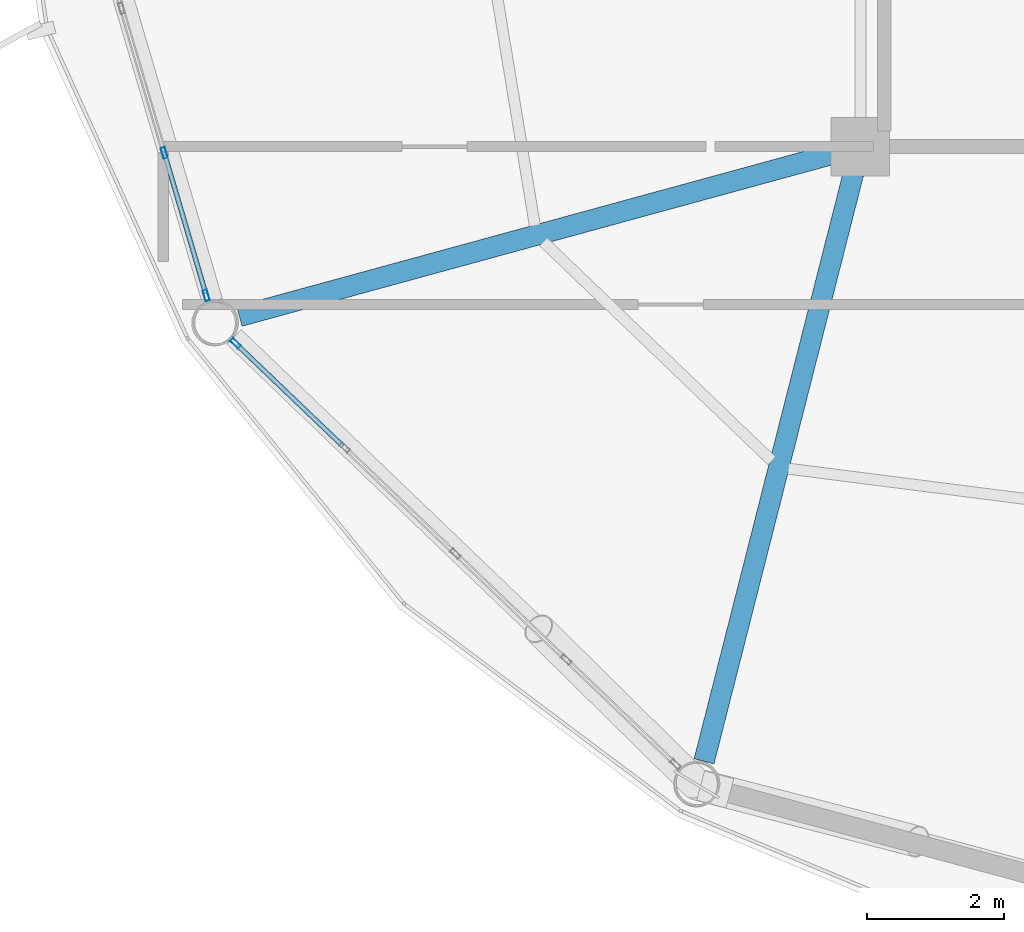
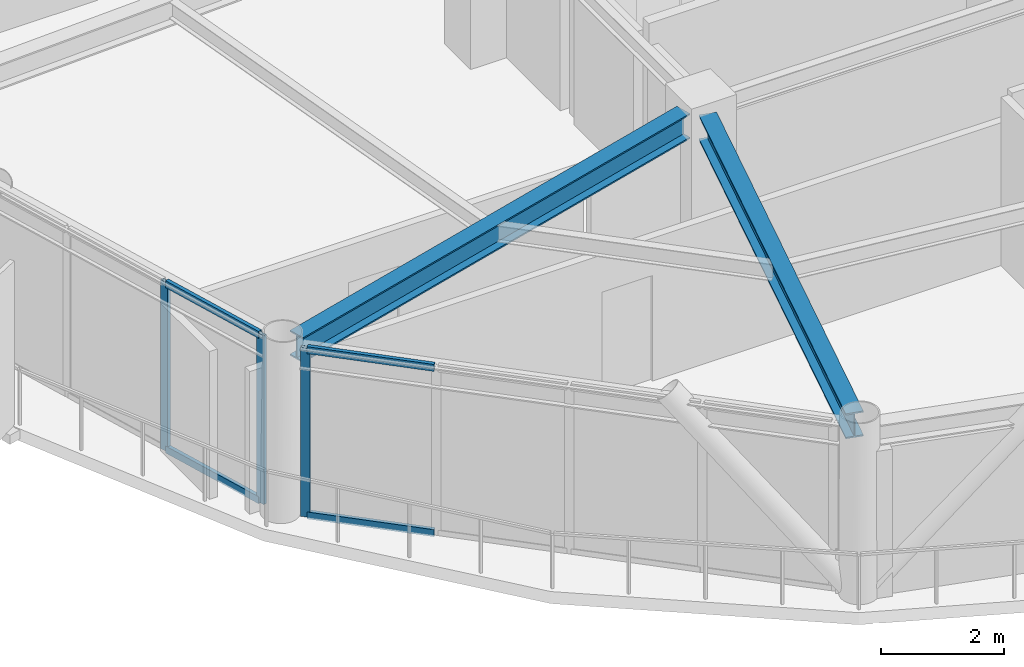
# One storey, part 4 of 28: 7 members, 2 beams, 2 elements without a shape of their own.
"""IFC4 building model written with IfcOpenShell, lengths in metres."""

from ifc_helpers import new_model, si_unit, direction, frame, origin, origin_2d, place, context, subcontext, project, spatial, hollow_rectangle, i_section, extrude, material, layer, layer_set, material_profile, profile_set, type_object, element, aggregate, save


model = new_model("IFC4")

# Units and contexts
model_context = context("Model", 3, precision=1e-05, world=origin(), true_north=direction((0.0, 1.0)))
body_context = subcontext(model_context, "Body", "Model", "MODEL_VIEW")
ifc_project = project(units=[si_unit("LENGTHUNIT", "METRE"), si_unit("AREAUNIT", "SQUARE_METRE"), si_unit("VOLUMEUNIT", "CUBIC_METRE"), si_unit("PLANEANGLEUNIT", "RADIAN"), si_unit("MASSUNIT", "GRAM", prefix="KILO")], contexts=[model_context])

# Site, building, storey
site_placement = place(None, origin())
site = spatial("IfcSite", under=ifc_project, at=site_placement, CompositionType="ELEMENT")
building_placement = place(site_placement, origin())
building = spatial("IfcBuilding", under=site, at=building_placement, Name="Varnakorn Sky Granary", CompositionType="ELEMENT")
storey_placement = place(building_placement, frame((0.0, 0.0, 204.0)))
storey = spatial("IfcBuildingStorey", under=building, at=storey_placement, Name="L51", CompositionType="ELEMENT", Elevation=204.0)

# Beams
ifc_material_1 = material(Name="Steel S355JR", Category="steel")
ifc_material_profile_1 = material_profile(ifc_material_1, i_section(OverallWidth=0.300048828125, OverallDepth=0.5, WebThickness=0.014404296875, FlangeThickness=0.028076171875, at=origin_2d()), Name="HE 500 B")
ifc_profile_set_1 = profile_set([ifc_material_profile_1], Name="Steel S355JR")
beam_type = type_object("IfcBeamType", Name="BM-RAD-Z4", PredefinedType="BEAM", material=ifc_profile_set_1)
beam_1_placement = place(storey_placement, frame((-2.74072265625, -6.706787109375, 3.110107421875), z_axis=(-0.964596523365, -0.263730064863, 0.0), x_axis=(0.263730064863, -0.964596523365, 0.0)))
element("IfcBeam", 1, at=beam_1_placement, inside=storey, type_object=beam_type, Name="Radial Floor Girder RG08 L51", PredefinedType="BEAM", context=body_context, shape_type="SweptSolid", body=[
    extrude(i_section(OverallWidth=0.300048828125, OverallDepth=0.5, WebThickness=0.014404296875, FlangeThickness=0.028076171875, at=origin_2d()), origin(), (0.0, 0.0, 1.0), 8.968505859375),
])
beam_2_placement = place(storey_placement, frame((-2.44970703125, -6.992431640625, 3.110107421875), z_axis=(-0.246319557273, -0.969188668787, 0.0), x_axis=(0.969188668787, -0.246319557273, 0.0)))
element("IfcBeam", 2, at=beam_2_placement, inside=storey, type_object=beam_type, Name="Radial Floor Girder RG09 L51", PredefinedType="BEAM", context=body_context, shape_type="SweptSolid", body=[
    extrude(i_section(OverallWidth=0.300048828125, OverallDepth=0.5, WebThickness=0.014404296875, FlangeThickness=0.028076171875, at=origin_2d()), origin(), (0.0, 0.0, 1.0), 8.831298828125),
])

# Curtain wall, members
ifc_material_2 = material(Name="Anodised Bronze Aluminium Alloy 6063-T6", Category="aluminium")
ifc_layer = layer(ifc_material_2, 0.169921875, Name="Anodised Bronze Aluminium Alloy 6063-T6")
ifc_layer_set = layer_set([ifc_layer], Name="Anodised Bronze Aluminium Alloy 6063-T6")
curtain_wall_type = type_object("IfcCurtainWallType", Name="CW-LAB-1", PredefinedType="USERDEFINED", material=ifc_layer_set)
curtain_wall_1_placement = place(storey_placement, origin())
curtain_wall_1 = element("IfcCurtainWall", 3, at=curtain_wall_1_placement, inside=storey, type_object=curtain_wall_type, Name="Unitised Curtain Wall CW5 CW-L51-B07", ObjectType="CURTAIN WALL", PredefinedType="USERDEFINED")
ifc_material_profile_2 = material_profile(ifc_material_2, hollow_rectangle(XDim=0.06494140625, YDim=0.159912109375, WallThickness=0.00341796875, at=origin_2d()), Name="ALU MULL 65x160")
ifc_profile_set_2 = profile_set([ifc_material_profile_2], Name="Anodised Bronze Aluminium Alloy 6063-T6")
member_type_1 = type_object("IfcMemberType", Name="CW-LAB-1-MULL", PredefinedType="MULLION", material=ifc_profile_set_2)
member_1_placement = place(storey_placement, frame((-11.873779296875, -8.766845703125, 0.0), z_axis=(0.0, 0.0, 1.0), x_axis=(-0.959195433293, -0.282743913729, 0.0)))
member_1 = element("IfcMember", 4, at=member_1_placement, type_object=member_type_1, Name="CW5 mullion 1", PredefinedType="MULLION", context=body_context, shape_type="SweptSolid", body=[
    extrude(hollow_rectangle(XDim=0.06494140625, YDim=0.159912109375, WallThickness=0.00341796875, at=origin_2d()), origin(), (0.0, 0.0, 1.0), 3.360107421875),
])
member_2_placement = place(storey_placement, frame((-12.4853515625, -6.69189453125, 0.0), z_axis=(0.0, 0.0, 1.0), x_axis=(-0.959195433293, -0.282743913729, 0.0)))
member_2 = element("IfcMember", 5, at=member_2_placement, type_object=member_type_1, Name="CW5 mullion 2", PredefinedType="MULLION", context=body_context, shape_type="SweptSolid", body=[
    extrude(hollow_rectangle(XDim=0.06494140625, YDim=0.159912109375, WallThickness=0.00341796875, at=origin_2d()), origin(), (0.0, 0.0, 1.0), 3.360107421875),
])

# Curtain wall, member
curtain_wall_2_placement = place(storey_placement, origin())
curtain_wall_2 = element("IfcCurtainWall", 6, at=curtain_wall_2_placement, inside=storey, type_object=curtain_wall_type, Name="Unitised Curtain Wall CW5 CW-L51-B08", ObjectType="CURTAIN WALL", PredefinedType="USERDEFINED")
member_3_placement = place(storey_placement, frame((-11.448974609375, -9.464111328125, 0.0), z_axis=(0.0, 0.0, 1.0), x_axis=(-0.691317195735, -0.722551406393, 0.0)))
member_3 = element("IfcMember", 7, at=member_3_placement, type_object=member_type_1, Name="CW5 mullion 5", PredefinedType="MULLION", context=body_context, shape_type="SweptSolid", body=[
    extrude(hollow_rectangle(XDim=0.06494140625, YDim=0.159912109375, WallThickness=0.00341796875, at=origin_2d()), origin(), (0.0, 0.0, 1.0), 3.360107421875),
])

# Member
ifc_material_profile_3 = material_profile(ifc_material_2, hollow_rectangle(XDim=0.070068359375, YDim=0.139892578125, WallThickness=0.00341796875, at=origin_2d()), Name="ALU TRAN 70x140")
ifc_profile_set_3 = profile_set([ifc_material_profile_3], Name="Anodised Bronze Aluminium Alloy 6063-T6")
member_type_2 = type_object("IfcMemberType", Name="CW-LAB-1-TRAN", PredefinedType="USERDEFINED", material=ifc_profile_set_3)
member_4_placement = place(storey_placement, frame((-11.883056640625, -8.735595703125, 0.034912109375), z_axis=(-0.282657700587, 0.959220842298, 0.0), x_axis=(-0.959220842298, -0.282657700587, 0.0)))
member_4 = element("IfcMember", 8, at=member_4_placement, type_object=member_type_2, Name="CW5 transom 1.1", ObjectType="TRANSOM", PredefinedType="USERDEFINED", context=body_context, shape_type="SweptSolid", body=[
    extrude(hollow_rectangle(XDim=0.070068359375, YDim=0.139892578125, WallThickness=0.00341796875, at=origin_2d()), origin(), (0.0, 0.0, 1.0), 2.097900390625),
])

member_5_placement = place(storey_placement, frame((-11.883056640625, -8.735595703125, 3.324951171875), z_axis=(-0.282657700587, 0.959220842298, 0.0), x_axis=(-0.959220842298, -0.282657700587, 0.0)))
member_5 = element("IfcMember", 9, at=member_5_placement, type_object=member_type_2, Name="CW5 transom 1.2", ObjectType="TRANSOM", PredefinedType="USERDEFINED", context=body_context, shape_type="SweptSolid", body=[
    extrude(hollow_rectangle(XDim=0.070068359375, YDim=0.139892578125, WallThickness=0.00341796875, at=origin_2d()), origin(), (0.0, 0.0, 1.0), 2.097900390625),
])

aggregate(curtain_wall_1, [member_1, member_2, member_4, member_5])

member_6_placement = place(storey_placement, frame((-9.88232421875, -10.962890625, 0.034912109375), z_axis=(-0.722594684386, 0.691271959577, 0.0), x_axis=(-0.691271959577, -0.722594684386, 0.0)))
member_6 = element("IfcMember", 10, at=member_6_placement, type_object=member_type_2, Name="CW5 transom 4.1", ObjectType="TRANSOM", PredefinedType="USERDEFINED", context=body_context, shape_type="SweptSolid", body=[
    extrude(hollow_rectangle(XDim=0.070068359375, YDim=0.139892578125, WallThickness=0.00341796875, at=origin_2d()), origin(), (0.0, 0.0, 1.0), 2.1357421875),
])

member_7_placement = place(storey_placement, frame((-9.88232421875, -10.962890625, 3.324951171875), z_axis=(-0.722594684386, 0.691271959577, 0.0), x_axis=(-0.691271959577, -0.722594684386, 0.0)))
member_7 = element("IfcMember", 11, at=member_7_placement, type_object=member_type_2, Name="CW5 transom 4.2", ObjectType="TRANSOM", PredefinedType="USERDEFINED", context=body_context, shape_type="SweptSolid", body=[
    extrude(hollow_rectangle(XDim=0.070068359375, YDim=0.139892578125, WallThickness=0.00341796875, at=origin_2d()), origin(), (0.0, 0.0, 1.0), 2.1357421875),
])

aggregate(curtain_wall_2, [member_3, member_6, member_7])

save(model, "model.ifc")
